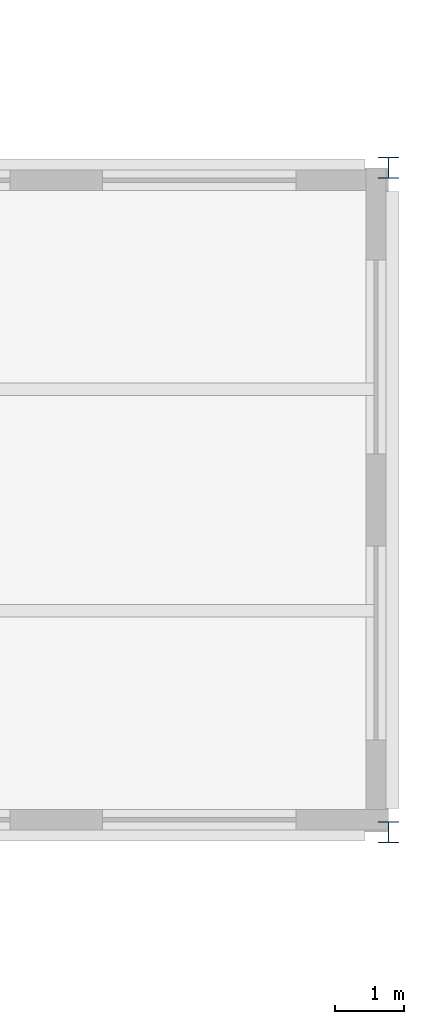
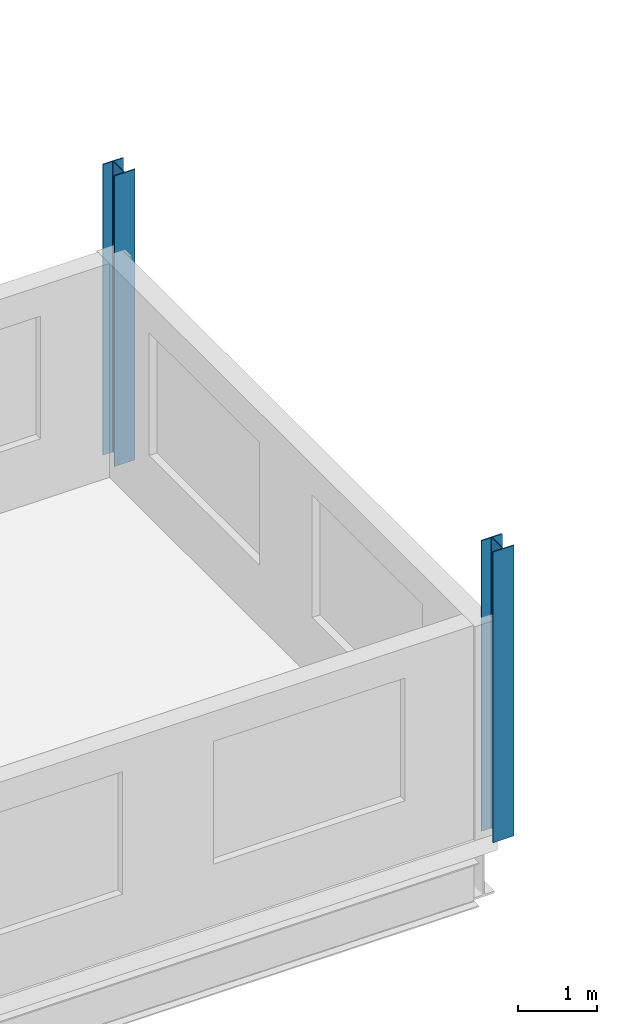
# One storey, part 10 of 69: 2 columns.
"""IFC4 building model written with IfcOpenShell, lengths in metres."""

from ifc_helpers import new_model, si_unit, direction, frame, origin, origin_2d, place, context, subcontext, project, spatial, i_section, extrude, material, material_profile, profile_set, type_object, element, save


model = new_model("IFC4")

# Units and contexts
model_context = context("Model", 3, precision=1e-05, world=origin(), true_north=direction((0.0, 1.0)))
body_context = subcontext(model_context, "Body", "Model", "MODEL_VIEW")
ifc_project = project(units=[si_unit("LENGTHUNIT", "METRE"), si_unit("AREAUNIT", "SQUARE_METRE"), si_unit("VOLUMEUNIT", "CUBIC_METRE"), si_unit("PLANEANGLEUNIT", "RADIAN"), si_unit("MASSUNIT", "GRAM", prefix="KILO")], contexts=[model_context])

# Site, building, storey
site_placement = place(None, origin())
site = spatial("IfcSite", under=ifc_project, at=site_placement, CompositionType="ELEMENT")
building_placement = place(site_placement, origin())
building = spatial("IfcBuilding", under=site, at=building_placement, Name="Caelomonte Colonnade Arena", CompositionType="ELEMENT")
storey_placement = place(building_placement, frame((0.0, 0.0, 18.60009765625)))
storey = spatial("IfcBuildingStorey", under=building, at=storey_placement, Name="L04", CompositionType="ELEMENT", Elevation=18.60009765625)

# Columns
ifc_material = material(Name="Wide-flange steel ASTM A992 Grade 50", Category="steel")
ifc_material_profile = material_profile(ifc_material, i_section(OverallWidth=0.3046875, OverallDepth=0.307861328125, WebThickness=0.010009765625, FlangeThickness=0.015380859375, FilletRadius=0.0126953125, at=origin_2d()), Name="W12X65")
ifc_profile_set = profile_set([ifc_material_profile], Name="Wide-flange steel ASTM A992 Grade 50")
column_type = type_object("IfcColumnType", Name="STR-COL-W12A", PredefinedType="COLUMN", material=ifc_profile_set)
for number, where, z_axis, x_axis, name in (
    (1, (192.0, 67.199951171875, 0.0), (0.0, 0.0, 1.0), (1.0, 0.0, 0.0), "L04 column (192.0, 67.2)"),
    (2, (192.0, 76.800048828125, 0.0), (0.0, 0.0, 1.0), (1.0, 0.0, 0.0), "L04 column (192.0, 76.8)"),
):
    element("IfcColumn", number, at=place(storey_placement, frame(where, z_axis=z_axis, x_axis=x_axis)), inside=storey, type_object=column_type, Name=name, PredefinedType="COLUMN", context=body_context, shape_type="SweptSolid", body=[
        extrude(i_section(OverallWidth=0.3046875, OverallDepth=0.307861328125, WebThickness=0.010009765625, FlangeThickness=0.015380859375, FilletRadius=0.0126953125, at=origin_2d()), origin(), (0.0, 0.0, 1.0), 4.5),
    ])

save(model, "model.ifc")
